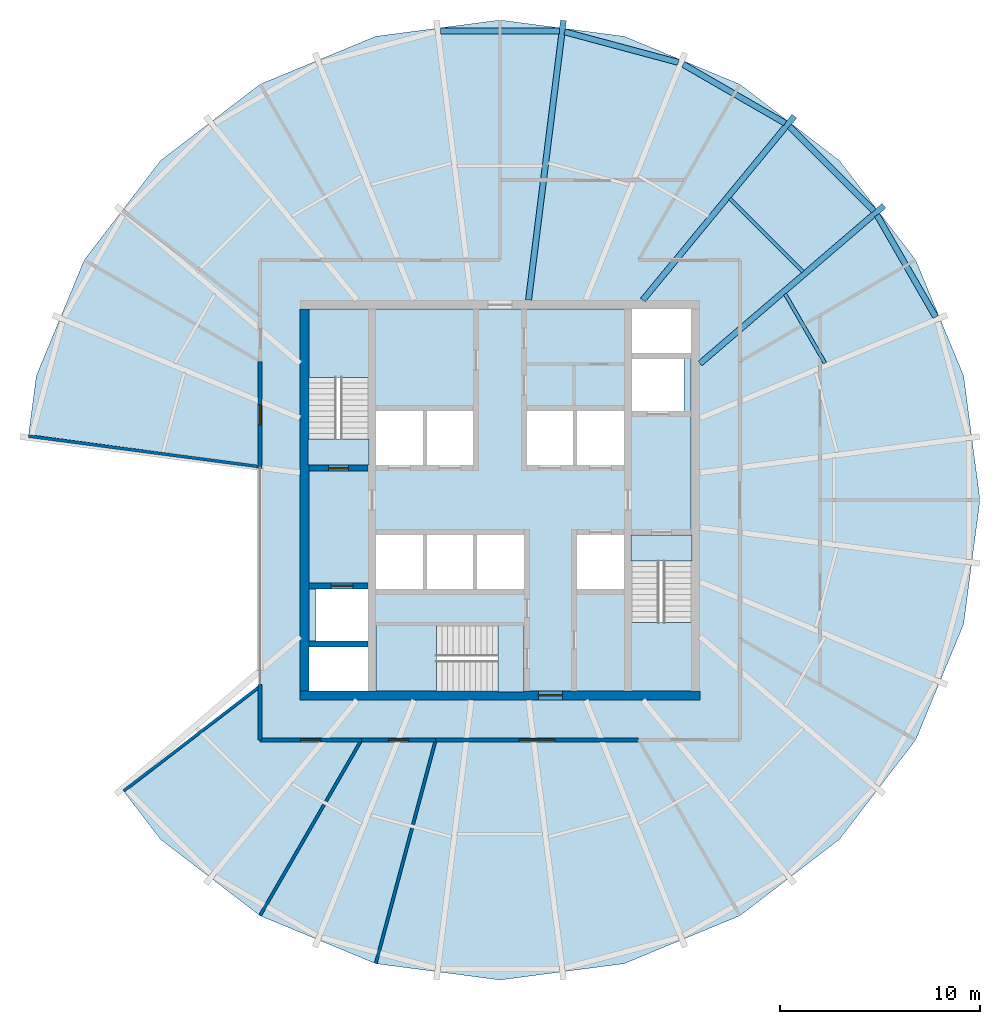
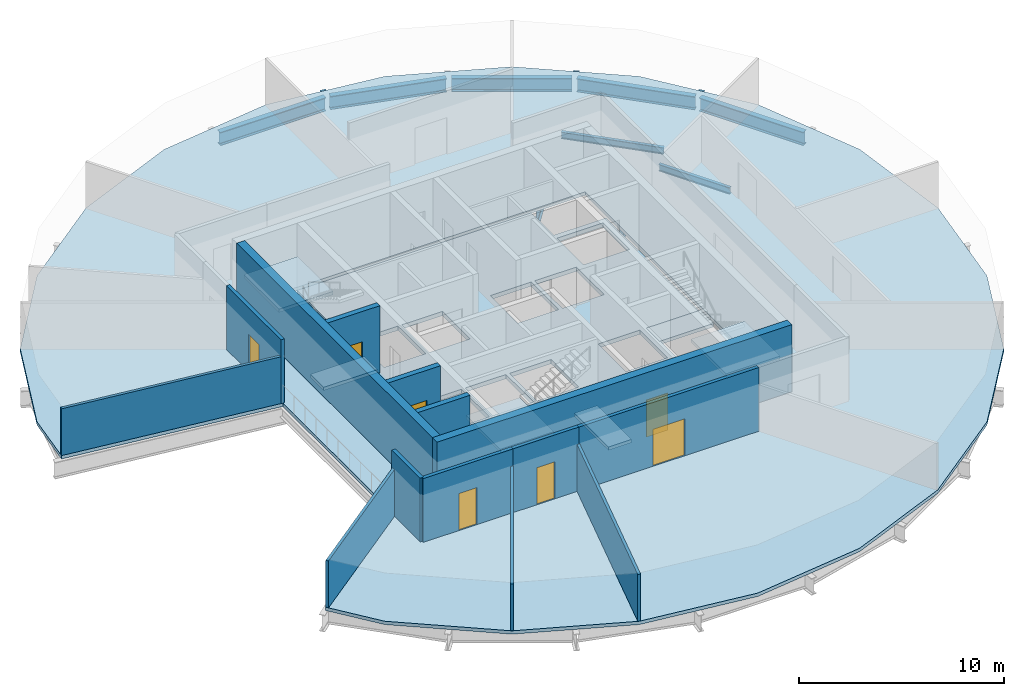
# One storey, part 2 of 5: 14 walls, 10 beams, 8 slabs, 7 doors, 7 openings, 3 elements without a shape of their own.
"""IFC4 building model written with IfcOpenShell, lengths in metres."""

from ifc_helpers import new_model, si_unit, direction, frame, frame_2d, origin, origin_2d, place, context, subcontext, project, spatial, polyline, rectangle, i_section, outline, extrude, material, layer, layer_set, material_profile, profile_set, type_object, element, fill, aggregate, save


model = new_model("IFC4")

# Units and contexts
model_context = context("Model", 3, precision=1e-05, world=origin(), true_north=direction((0.0, 1.0)))
body_context = subcontext(model_context, "Body", "Model", "MODEL_VIEW")
ifc_project = project(units=[si_unit("LENGTHUNIT", "METRE"), si_unit("AREAUNIT", "SQUARE_METRE"), si_unit("VOLUMEUNIT", "CUBIC_METRE"), si_unit("PLANEANGLEUNIT", "RADIAN"), si_unit("MASSUNIT", "GRAM", prefix="KILO")], contexts=[model_context])

# Site, building, storey
site_placement = place(None, origin())
site = spatial("IfcSite", under=ifc_project, at=site_placement, CompositionType="ELEMENT")
building_placement = place(site_placement, origin())
building = spatial("IfcBuilding", under=site, at=building_placement, Name="Golbaran Civic Tower", CompositionType="ELEMENT")
storey_placement = place(building_placement, frame((0.0, 0.0, 175.0)))
storey = spatial("IfcBuildingStorey", under=building, at=storey_placement, Name="L42", CompositionType="ELEMENT", Elevation=175.0)

# Beams
ifc_material_1 = material(Name="Steel S355", Category="steel")
ifc_material_profile_1 = material_profile(ifc_material_1, i_section(OverallWidth=0.300048828125, OverallDepth=0.800048828125, WebThickness=0.017578125, FlangeThickness=0.032958984375, FilletRadius=0.030029296875, at=origin_2d()), Name="HEB 800")
ifc_profile_set_1 = profile_set([ifc_material_profile_1], Name="Steel S355")
beam_type_1 = type_object("IfcBeamType", Name="EDGE BEAM HEB 800", PredefinedType="BEAM", material=ifc_profile_set_1)
beam_1_placement = place(storey_placement, frame((21.787841796875, 9.147705078125, -0.60009765625), z_axis=(-0.498868073136, 0.866677936494, 0.0), x_axis=(-0.866677936494, -0.498868073136, 0.0)))
element("IfcBeam", 1, at=beam_1_placement, inside=storey, type_object=beam_type_1, Name="Edge beam 22.47 L42", PredefinedType="BEAM", context=body_context, shape_type="SweptSolid", body=[
    extrude(i_section(OverallWidth=0.300048828125, OverallDepth=0.800048828125, WebThickness=0.017578125, FlangeThickness=0.032958984375, FilletRadius=0.030029296875, at=origin_2d()), origin(), (0.0, 0.0, 1.0), 5.881103515625),
])
beam_2_placement = place(storey_placement, frame((18.696044921875, 14.451416015625, -0.60009765625), z_axis=(-0.70680058161, 0.707412848226, 0.0), x_axis=(-0.707412848226, -0.70680058161, 0.0)))
element("IfcBeam", 2, at=beam_2_placement, inside=storey, type_object=beam_type_1, Name="Edge beam 37.53 L42", PredefinedType="BEAM", context=body_context, shape_type="SweptSolid", body=[
    extrude(i_section(OverallWidth=0.300048828125, OverallDepth=0.800048828125, WebThickness=0.017578125, FlangeThickness=0.032958984375, FilletRadius=0.030029296875, at=origin_2d()), origin(), (0.0, 0.0, 1.0), 5.981201171875),
])
beam_3_placement = place(storey_placement, frame((14.261962890625, 18.8408203125, -0.60009765625), z_axis=(-0.866307731562, 0.499510674796, 0.0), x_axis=(-0.499510674796, -0.866307731562, 0.0)))
element("IfcBeam", 3, at=beam_3_placement, inside=storey, type_object=beam_type_1, Name="Edge beam 52.47 L42", PredefinedType="BEAM", context=body_context, shape_type="SweptSolid", body=[
    extrude(i_section(OverallWidth=0.300048828125, OverallDepth=0.800048828125, WebThickness=0.017578125, FlangeThickness=0.032958984375, FilletRadius=0.030029296875, at=origin_2d()), origin(), (0.0, 0.0, 1.0), 5.888671875),
])
beam_4_placement = place(storey_placement, frame((8.92041015625, 21.8818359375, -0.60009765625), z_axis=(-0.96581726524, 0.2592238611, 0.0), x_axis=(-0.2592238611, -0.96581726524, 0.0)))
element("IfcBeam", 4, at=beam_4_placement, inside=storey, type_object=beam_type_1, Name="Edge beam 67.53 L42", PredefinedType="BEAM", context=body_context, shape_type="SweptSolid", body=[
    extrude(i_section(OverallWidth=0.300048828125, OverallDepth=0.800048828125, WebThickness=0.017578125, FlangeThickness=0.032958984375, FilletRadius=0.030029296875, at=origin_2d()), origin(), (0.0, 0.0, 1.0), 5.88720703125),
])
beam_5_placement = place(storey_placement, frame((2.976806640625, 23.44189453125, -0.60009765625), z_axis=(-1.0, 0.0, 0.0), x_axis=(0.0, -1.0, 0.0)))
element("IfcBeam", 5, at=beam_5_placement, inside=storey, type_object=beam_type_1, Name="Edge beam 82.47 L42", PredefinedType="BEAM", context=body_context, shape_type="SweptSolid", body=[
    extrude(i_section(OverallWidth=0.300048828125, OverallDepth=0.800048828125, WebThickness=0.017578125, FlangeThickness=0.032958984375, FilletRadius=0.030029296875, at=origin_2d()), origin(), (0.0, 0.0, 1.0), 5.95361328125),
])
ifc_material_profile_2 = material_profile(ifc_material_1, i_section(OverallWidth=0.179931640625, OverallDepth=0.39990234375, WebThickness=0.008544921875, FlangeThickness=0.013427734375, FilletRadius=0.02099609375, at=origin_2d()), Name="IPE 400")
ifc_profile_set_2 = profile_set([ifc_material_profile_2], Name="Steel S355")
beam_type_2 = type_object("IfcBeamType", Name="FLOOR INFILL BEAM IPE 400", PredefinedType="BEAM", material=ifc_profile_set_2)
beam_6_placement = place(storey_placement, frame((16.254150390625, 6.8408203125, -0.39990234375), z_axis=(-0.500036296268, 0.86600444711, 0.0), x_axis=(-0.86600444711, -0.500036296268, 0.0)))
element("IfcBeam", 6, at=beam_6_placement, inside=storey, type_object=beam_type_2, Name="Infill beam 30.00 L42", PredefinedType="BEAM", context=body_context, shape_type="SweptSolid", body=[
    extrude(i_section(OverallWidth=0.179931640625, OverallDepth=0.39990234375, WebThickness=0.008544921875, FlangeThickness=0.013427734375, FilletRadius=0.02099609375, at=origin_2d()), origin(), (0.0, 0.0, 1.0), 3.995361328125),
])
beam_7_placement = place(storey_placement, frame((15.157958984375, 11.416748046875, -0.39990234375), z_axis=(-0.707130358093, 0.707083203494, 0.0), x_axis=(-0.707083203494, -0.707130358093, 0.0)))
element("IfcBeam", 7, at=beam_7_placement, inside=storey, type_object=beam_type_2, Name="Infill beam 45.00 L42", PredefinedType="BEAM", context=body_context, shape_type="SweptSolid", body=[
    extrude(i_section(OverallWidth=0.179931640625, OverallDepth=0.39990234375, WebThickness=0.008544921875, FlangeThickness=0.013427734375, FilletRadius=0.02099609375, at=origin_2d()), origin(), (0.0, 0.0, 1.0), 5.177490234375),
])
ifc_material_profile_3 = material_profile(ifc_material_1, i_section(OverallWidth=0.300048828125, OverallDepth=1.0, WebThickness=0.01904296875, FlangeThickness=0.035888671875, FilletRadius=0.030029296875, at=origin_2d()), Name="HEB 1000")
ifc_profile_set_3 = profile_set([ifc_material_profile_3], Name="Steel S355")
beam_type_3 = type_object("IfcBeamType", Name="RADIAL FLOOR BEAM HEB 1000", PredefinedType="BEAM", material=ifc_profile_set_3)
beam_8_placement = place(storey_placement, frame((10.0, 6.821533203125, -0.7099609375), z_axis=(0.759047578, 0.651035155988, 0.0), x_axis=(-0.651035155988, 0.759047578, 0.0)))
element("IfcBeam", 8, at=beam_8_placement, inside=storey, type_object=beam_type_3, Name="Radial beam 37.53 L42", PredefinedType="BEAM", context=body_context, shape_type="SweptSolid", body=[
    extrude(i_section(OverallWidth=0.300048828125, OverallDepth=1.0, WebThickness=0.01904296875, FlangeThickness=0.035888671875, FilletRadius=0.030029296875, at=origin_2d()), origin(), (0.0, 0.0, 1.0), 12.1220703125),
])
beam_9_placement = place(storey_placement, frame((7.142822265625, 10.0, -0.7099609375), z_axis=(0.636064106478, 0.77163621769, 0.0), x_axis=(-0.77163621769, 0.636064106478, 0.0)))
element("IfcBeam", 9, at=beam_9_placement, inside=storey, type_object=beam_type_3, Name="Radial beam 52.47 L42", PredefinedType="BEAM", context=body_context, shape_type="SweptSolid", body=[
    extrude(i_section(OverallWidth=0.300048828125, OverallDepth=1.0, WebThickness=0.01904296875, FlangeThickness=0.035888671875, FilletRadius=0.030029296875, at=origin_2d()), origin(), (0.0, 0.0, 1.0), 11.916015625),
])
beam_10_placement = place(storey_placement, frame((1.428466796875, 10.0, -0.7099609375), z_axis=(0.123970759742, 0.992285871475, 0.0), x_axis=(-0.992285871475, 0.123970759742, 0.0)))
element("IfcBeam", 10, at=beam_10_placement, inside=storey, type_object=beam_type_3, Name="Radial beam 82.47 L42", PredefinedType="BEAM", context=body_context, shape_type="SweptSolid", body=[
    extrude(i_section(OverallWidth=0.300048828125, OverallDepth=1.0, WebThickness=0.01904296875, FlangeThickness=0.035888671875, FilletRadius=0.030029296875, at=origin_2d()), origin(), (0.0, 0.0, 1.0), 14.090576171875),
])

# Slabs
ifc_material_2 = material(Name="Concrete LC30/33 lightweight on steel deck", Category="concrete")
ifc_layer_1 = layer(ifc_material_2, 0.199951171875, Name="Concrete LC30/33 lightweight on steel deck")
ifc_layer_set_1 = layer_set([ifc_layer_1], Name="Concrete LC30/33 lightweight on steel deck")
slab_type_1 = type_object("IfcSlabType", Name="COMPOSITE FLOOR SLAB 200", PredefinedType="FLOOR", material=ifc_layer_set_1)
slab_1_placement = place(storey_placement, frame((0.0, 0.0, -0.199951171875)))
element("IfcSlab", 11, at=slab_1_placement, inside=storey, type_object=slab_type_1, Name="Floor slab L42", PredefinedType="FLOOR", context=body_context, shape_type="SweptSolid", body=[
    extrude(outline(polyline([(16.97216796875, -16.97216796875), (12.001220703125, -20.78662109375), (6.212158203125, -23.1845703125), (0.0, -24.002197265625), (-6.212158203125, -23.1845703125), (-12.001220703125, -20.78662109375), (-16.97216796875, -16.97216796875), (-18.87109375, -14.497314453125), (-12.0, -9.21875), (-12.0, 1.586669921875), (-23.591552734375, 3.11962890625), (-23.1845703125, 6.212158203125), (-20.78662109375, 12.001220703125), (-16.97216796875, 16.97216796875), (-12.001220703125, 20.78662109375), (-6.212158203125, 23.1845703125), (0.0, 24.002197265625), (6.212158203125, 23.1845703125), (12.001220703125, 20.78662109375), (16.97216796875, 16.97216796875), (20.78662109375, 12.001220703125), (23.1845703125, 6.212158203125), (24.002197265625, 0.0), (23.1845703125, -6.212158203125), (20.78662109375, -12.001220703125), (16.97216796875, -16.97216796875)]), holes=[polyline([(-9.77490234375, -9.77490234375), (9.77490234375, -9.77490234375), (9.77490234375, 9.77490234375), (-9.77490234375, 9.77490234375), (-9.77490234375, -9.77490234375)])]), origin(), (0.0, 0.0, 1.0), 0.199951171875),
])
ifc_material_3 = material(Name="Concrete C35/45", Category="concrete")
ifc_layer_2 = layer(ifc_material_3, 0.25, Name="Concrete C35/45")
ifc_layer_set_2 = layer_set([ifc_layer_2], Name="Concrete C35/45")
slab_type_2 = type_object("IfcSlabType", Name="CORE FLOOR SLAB 250", PredefinedType="FLOOR", material=ifc_layer_set_2)
slab_2_placement = place(storey_placement, frame((0.0, 0.0, -0.25)))
element("IfcSlab", 12, at=slab_2_placement, inside=storey, type_object=slab_type_2, Name="Core floor slab L42", PredefinedType="FLOOR", context=body_context, shape_type="SweptSolid", body=[
    extrude(outline(polyline([(6.60009765625, -1.75), (6.60009765625, -9.550048828125), (1.199951171875, -9.550048828125), (1.199951171875, -6.300048828125), (-6.199951171875, -6.300048828125), (-6.199951171875, -9.550048828125), (-6.60009765625, -9.550048828125), (-6.60009765625, -7.35009765625), (-9.550048828125, -7.35009765625), (-9.550048828125, 1.75), (-6.60009765625, 1.75), (-6.60009765625, 9.550048828125), (6.60009765625, 9.550048828125), (6.60009765625, 7.35009765625), (9.550048828125, 7.35009765625), (9.550048828125, -1.75), (6.60009765625, -1.75)]), holes=[polyline([(9.199951171875, 7.050048828125), (6.60009765625, 7.050048828125), (6.60009765625, 4.449951171875), (9.199951171875, 4.449951171875), (9.199951171875, 7.050048828125)]), polyline([(6.199951171875, -1.75), (3.85009765625, -1.75), (3.85009765625, -4.449951171875), (6.199951171875, -4.449951171875), (6.199951171875, -1.75)]), polyline([(6.199951171875, 4.449951171875), (3.85009765625, 4.449951171875), (3.85009765625, 1.75), (6.199951171875, 1.75), (6.199951171875, 4.449951171875)]), polyline([(3.64990234375, 4.449951171875), (1.35009765625, 4.449951171875), (1.35009765625, 1.75), (3.64990234375, 1.75), (3.64990234375, 4.449951171875)]), polyline([(1.199951171875, -1.75), (-1.14990234375, -1.75), (-1.14990234375, -4.449951171875), (1.199951171875, -4.449951171875), (1.199951171875, -1.75)]), polyline([(-1.35009765625, 4.449951171875), (-3.64990234375, 4.449951171875), (-3.64990234375, 1.75), (-1.35009765625, 1.75), (-1.35009765625, 4.449951171875)]), polyline([(-1.35009765625, -1.75), (-3.64990234375, -1.75), (-3.64990234375, -4.449951171875), (-1.35009765625, -4.449951171875), (-1.35009765625, -1.75)]), polyline([(-3.85009765625, -1.75), (-6.199951171875, -1.75), (-6.199951171875, -4.449951171875), (-3.85009765625, -4.449951171875), (-3.85009765625, -1.75)]), polyline([(-3.85009765625, 4.449951171875), (-6.199951171875, 4.449951171875), (-6.199951171875, 1.75), (-3.85009765625, 1.75), (-3.85009765625, 4.449951171875)]), polyline([(-6.60009765625, -4.449951171875), (-9.199951171875, -4.449951171875), (-9.199951171875, -7.050048828125), (-6.60009765625, -7.050048828125), (-6.60009765625, -4.449951171875)])]), origin(), (0.0, 0.0, 1.0), 0.25),
])

# Stair, slab
stair_type_1 = type_object("IfcStairType", Name="EXIT STAIR 2950 x 7800, 4000 RISE", PredefinedType="HALF_TURN_STAIR", material=ifc_material_3)
stair_1_placement = place(storey_placement, origin())
stair_1 = element("IfcStair", 13, at=stair_1_placement, inside=storey, type_object=stair_type_1, Name="Stair S1 L42", PredefinedType="HALF_TURN_STAIR")
ifc_layer_3 = layer(ifc_material_3, 0.199951171875, Name="Concrete C35/45")
ifc_layer_set_3 = layer_set([ifc_layer_3], Name="Concrete C35/45")
slab_type_3 = type_object("IfcSlabType", Name="STAIR LANDING 200", PredefinedType="LANDING", material=ifc_layer_set_3)
slab_3_placement = place(storey_placement, frame((0.0, 0.0, 1.800048828125)))
slab_3 = element("IfcSlab", 14, at=slab_3_placement, type_object=slab_type_3, Name="ST29578-40 landing 1", PredefinedType="LANDING", context=body_context, shape_type="SweptSolid", body=[
    extrude(outline(polyline([(-9.60009765625, 6.125), (-9.60009765625, 9.550048828125), (-6.550048828125, 9.550048828125), (-6.550048828125, 6.125), (-9.60009765625, 6.125)])), origin(), (0.0, 0.0, 1.0), 0.199951171875),
])
aggregate(stair_1, [slab_3])

# Slab
slab_4_placement = place(storey_placement, frame((0.0, 0.0, -0.199951171875)))
element("IfcSlab", 15, at=slab_4_placement, inside=storey, type_object=slab_type_3, Name="Stair S1 floor landing L42", PredefinedType="LANDING", context=body_context, shape_type="SweptSolid", body=[
    extrude(outline(polyline([(-9.60009765625, 1.75), (-9.60009765625, 3.054931640625), (-6.550048828125, 3.054931640625), (-6.550048828125, 1.75), (-9.60009765625, 1.75)])), origin(), (0.0, 0.0, 1.0), 0.199951171875),
])

# Stair, slab
stair_2_placement = place(storey_placement, origin())
stair_2 = element("IfcStair", 16, at=stair_2_placement, inside=storey, type_object=stair_type_1, Name="Stair S2 L42", PredefinedType="HALF_TURN_STAIR")
slab_5_placement = place(storey_placement, frame((0.0, 0.0, 1.800048828125)))
slab_5 = element("IfcSlab", 17, at=slab_5_placement, type_object=slab_type_3, Name="ST29578-40 landing 1", PredefinedType="LANDING", context=body_context, shape_type="SweptSolid", body=[
    extrude(outline(polyline([(9.60009765625, -6.125), (9.60009765625, -9.550048828125), (6.550048828125, -9.550048828125), (6.550048828125, -6.125), (9.60009765625, -6.125)])), origin(), (0.0, 0.0, 1.0), 0.199951171875),
])
aggregate(stair_2, [slab_5])

# Slab
slab_6_placement = place(storey_placement, frame((0.0, 0.0, -0.199951171875)))
element("IfcSlab", 18, at=slab_6_placement, inside=storey, type_object=slab_type_3, Name="Stair S2 floor landing L42", PredefinedType="LANDING", context=body_context, shape_type="SweptSolid", body=[
    extrude(outline(polyline([(9.60009765625, -1.75), (9.60009765625, -3.054931640625), (6.550048828125, -3.054931640625), (6.550048828125, -1.75), (9.60009765625, -1.75)])), origin(), (0.0, 0.0, 1.0), 0.199951171875),
])

# Stair, slab
stair_type_2 = type_object("IfcStairType", Name="EXIT STAIR 3250 x 7400, 4000 RISE", PredefinedType="HALF_TURN_STAIR", material=ifc_material_3)
stair_3_placement = place(storey_placement, origin())
stair_3 = element("IfcStair", 19, at=stair_3_placement, inside=storey, type_object=stair_type_2, Name="Stair S3 L42", PredefinedType="HALF_TURN_STAIR")
slab_7_placement = place(storey_placement, frame((0.0, 0.0, 1.800048828125)))
slab_7 = element("IfcSlab", 20, at=slab_7_placement, type_object=slab_type_3, Name="ST32574-40 landing 1", PredefinedType="LANDING", context=body_context, shape_type="SweptSolid", body=[
    extrude(outline(polyline([(-3.175048828125, -9.60009765625), (-6.199951171875, -9.60009765625), (-6.199951171875, -6.25), (-3.175048828125, -6.25), (-3.175048828125, -9.60009765625)])), origin(), (0.0, 0.0, 1.0), 0.199951171875),
])
aggregate(stair_3, [slab_7])

# Slab
slab_8_placement = place(storey_placement, frame((0.0, 0.0, -0.199951171875)))
element("IfcSlab", 21, at=slab_8_placement, inside=storey, type_object=slab_type_3, Name="Stair S3 floor landing L42", PredefinedType="LANDING", context=body_context, shape_type="SweptSolid", body=[
    extrude(outline(polyline([(1.199951171875, -9.60009765625), (-0.10498046875, -9.60009765625), (-0.10498046875, -6.25), (1.199951171875, -6.25), (1.199951171875, -9.60009765625)])), origin(), (0.0, 0.0, 1.0), 0.199951171875),
])

# Wall, opening, door
ifc_material_4 = material(Name="Concrete C50/60", Category="concrete")
ifc_layer_4 = layer(ifc_material_4, 0.449951171875, Name="Concrete C50/60")
ifc_layer_set_4 = layer_set([ifc_layer_4], Name="Concrete C50/60")
wall_type_1 = type_object("IfcWallType", Name="CORE WALL CONCRETE 450", PredefinedType="SOLIDWALL", material=ifc_layer_set_4)
wall_1_placement = place(storey_placement, frame((10.0, -9.77490234375, 0.0), z_axis=(0.0, 0.0, 1.0), x_axis=(-1.0, 0.0, 0.0)))
wall_1 = element("IfcWall", 22, at=wall_1_placement, inside=storey, type_object=wall_type_1, Name="Core wall CS L42", PredefinedType="SOLIDWALL", context=body_context, shape_type="SweptSolid", body=[
    extrude(rectangle(XDim=20.0, YDim=0.449951171875, at=frame_2d((10.0, 0.0))), origin(), (0.0, 0.0, 1.0), 4.0),
])
opening_1_placement = place(wall_1_placement, frame((6.875, 0.0, 0.0)))
opening_1 = element("IfcOpeningElement", 23, at=opening_1_placement, cuts=wall_1, Name="Opening L42.CS", PredefinedType="OPENING", context=body_context, shape_type="SweptSolid", body=[
    extrude(rectangle(XDim=1.199951171875, YDim=2.199951171875, at=frame_2d((0.60009765625, 1.10009765625))), frame((0.0, 0.23486328125, 0.0), z_axis=(0.0, -1.0, 0.0), x_axis=(1.0, 0.0, 0.0)), (0.0, 0.0, 1.0), 0.469970703125),
])
ifc_material_5 = material(Name="Timber door set in steel frame", Category="steel")
door_type_1 = type_object("IfcDoorType", Name="CORE DOOR 1200x2200", OperationType="DOUBLE_DOOR_SINGLE_SWING", PredefinedType="DOOR", material=ifc_material_5)
door_1_placement = place(opening_1_placement, origin())
door_1 = element("IfcDoor", 24, at=door_1_placement, inside=storey, type_object=door_type_1, Name="Core door south", OperationType="DOUBLE_DOOR_SINGLE_SWING", OverallHeight=2.199951171875, OverallWidth=1.199951171875, PredefinedType="DOOR", context=body_context, shape_type="SweptSolid", body=[
    extrude(rectangle(XDim=1.199951171875, YDim=2.199951171875, at=frame_2d((0.60009765625, 1.10009765625))), frame((0.0, 0.02490234375, 0.0), z_axis=(0.0, -1.0, 0.0), x_axis=(1.0, 0.0, 0.0)), (0.0, 0.0, 1.0), 0.050048828125),
])
fill(opening_1, door_1)

# Wall
wall_2_placement = place(storey_placement, frame((-9.77490234375, 9.550048828125, 0.0), z_axis=(0.0, 0.0, 1.0), x_axis=(0.0, -1.0, 0.0)))
element("IfcWall", 25, at=wall_2_placement, inside=storey, type_object=wall_type_1, Name="Core wall CW L42", PredefinedType="SOLIDWALL", context=body_context, shape_type="SweptSolid", body=[
    extrude(rectangle(XDim=19.10009765625, YDim=0.449951171875, at=frame_2d((9.550048828125, 0.0))), origin(), (0.0, 0.0, 1.0), 4.0),
])

# Wall, opening, door
ifc_material_6 = material(Name="Gypsum board on steel studs, fire-rated", Category="steel")
ifc_layer_5 = layer(ifc_material_6, 0.199951171875, Name="Gypsum board on steel studs, fire-rated")
ifc_layer_set_5 = layer_set([ifc_layer_5], Name="Gypsum board on steel studs, fire-rated")
wall_type_2 = type_object("IfcWallType", Name="CORRIDOR WALL 200", PredefinedType="PARTITIONING", material=ifc_layer_set_5)
wall_3_placement = place(storey_placement, frame((-12.0, 6.92822265625, 0.0), z_axis=(0.0, 0.0, 1.0), x_axis=(0.0, -1.0, 0.0)))
wall_3 = element("IfcWall", 26, at=wall_3_placement, inside=storey, type_object=wall_type_2, Name="Corridor wall L42", PredefinedType="PARTITIONING", context=body_context, shape_type="SweptSolid", body=[
    extrude(rectangle(XDim=5.341552734375, YDim=0.199951171875, at=frame_2d((2.6708984375, 0.0))), origin(), (0.0, 0.0, 1.0), 3.800048828125),
])
opening_2_placement = place(wall_3_placement, frame((2.170654296875, 0.0, 0.0)))
opening_2 = element("IfcOpeningElement", 27, at=opening_2_placement, cuts=wall_3, Name="Opening L42.09", PredefinedType="OPENING", context=body_context, shape_type="SweptSolid", body=[
    extrude(rectangle(XDim=1.0, YDim=2.199951171875, at=frame_2d((0.5, 1.10009765625))), frame((0.0, 0.10986328125, 0.0), z_axis=(0.0, -1.0, 0.0), x_axis=(1.0, 0.0, 0.0)), (0.0, 0.0, 1.0), 0.219970703125),
])
door_type_2 = type_object("IfcDoorType", Name="OFFICE DOOR 1000x2200", OperationType="SINGLE_SWING_LEFT", PredefinedType="DOOR", material=ifc_material_5)
door_2_placement = place(opening_2_placement, origin())
door_2 = element("IfcDoor", 28, at=door_2_placement, inside=storey, type_object=door_type_2, Name="Project Room door L42", OperationType="SINGLE_SWING_RIGHT", OverallHeight=2.199951171875, OverallWidth=1.0, PredefinedType="DOOR", context=body_context, shape_type="SweptSolid", body=[
    extrude(rectangle(XDim=1.0, YDim=2.199951171875, at=frame_2d((0.5, 1.10009765625))), frame((0.0, 0.02490234375, 0.0), z_axis=(0.0, -1.0, 0.0), x_axis=(1.0, 0.0, 0.0)), (0.0, 0.0, 1.0), 0.050048828125),
])
fill(opening_2, door_2)

# Wall
wall_4_placement = place(storey_placement, frame((-12.0, -9.21875, 0.0), z_axis=(0.0, 0.0, 1.0), x_axis=(0.0, -1.0, 0.0)))
element("IfcWall", 29, at=wall_4_placement, inside=storey, type_object=wall_type_2, Name="Corridor wall L42", PredefinedType="PARTITIONING", context=body_context, shape_type="SweptSolid", body=[
    extrude(rectangle(XDim=2.78125, YDim=0.199951171875, at=frame_2d((1.390625, 0.0))), origin(), (0.0, 0.0, 1.0), 3.800048828125),
])

# Wall, opening, door
wall_5_placement = place(storey_placement, frame((-12.0, -12.0, 0.0), z_axis=(0.0, 0.0, 1.0), x_axis=(1.0, 0.0, 0.0)))
wall_5 = element("IfcWall", 30, at=wall_5_placement, inside=storey, type_object=wall_type_2, Name="Corridor wall L42", PredefinedType="PARTITIONING", context=body_context, shape_type="SweptSolid", body=[
    extrude(rectangle(XDim=5.07177734375, YDim=0.199951171875, at=frame_2d((2.535888671875, 0.0))), origin(), (0.0, 0.0, 1.0), 3.800048828125),
])
opening_3_placement = place(wall_5_placement, frame((2.035888671875, 0.0, 0.0)))
opening_3 = element("IfcOpeningElement", 31, at=opening_3_placement, cuts=wall_5, Name="Opening L42.10", PredefinedType="OPENING", context=body_context, shape_type="SweptSolid", body=[
    extrude(rectangle(XDim=1.0, YDim=2.199951171875, at=frame_2d((0.5, 1.10009765625))), frame((0.0, 0.10986328125, 0.0), z_axis=(0.0, -1.0, 0.0), x_axis=(1.0, 0.0, 0.0)), (0.0, 0.0, 1.0), 0.219970703125),
])
door_3_placement = place(opening_3_placement, origin())
door_3 = element("IfcDoor", 32, at=door_3_placement, inside=storey, type_object=door_type_2, Name="Quiet Room door L42", OperationType="SINGLE_SWING_LEFT", OverallHeight=2.199951171875, OverallWidth=1.0, PredefinedType="DOOR", context=body_context, shape_type="SweptSolid", body=[
    extrude(rectangle(XDim=1.0, YDim=2.199951171875, at=frame_2d((0.5, 1.10009765625))), frame((0.0, 0.02490234375, 0.0), z_axis=(0.0, -1.0, 0.0), x_axis=(1.0, 0.0, 0.0)), (0.0, 0.0, 1.0), 0.050048828125),
])
fill(opening_3, door_3)

wall_6_placement = place(storey_placement, frame((-6.92822265625, -12.0, 0.0), z_axis=(0.0, 0.0, 1.0), x_axis=(1.0, 0.0, 0.0)))
wall_6 = element("IfcWall", 33, at=wall_6_placement, inside=storey, type_object=wall_type_2, Name="Corridor wall L42", PredefinedType="PARTITIONING", context=body_context, shape_type="SweptSolid", body=[
    extrude(rectangle(XDim=3.712890625, YDim=0.199951171875, at=frame_2d((1.8564453125, 0.0))), origin(), (0.0, 0.0, 1.0), 3.800048828125),
])
opening_4_placement = place(wall_6_placement, frame((1.3564453125, 0.0, 0.0)))
opening_4 = element("IfcOpeningElement", 34, at=opening_4_placement, cuts=wall_6, Name="Opening L42.11", PredefinedType="OPENING", context=body_context, shape_type="SweptSolid", body=[
    extrude(rectangle(XDim=1.0, YDim=2.199951171875, at=frame_2d((0.5, 1.10009765625))), frame((0.0, 0.10986328125, 0.0), z_axis=(0.0, -1.0, 0.0), x_axis=(1.0, 0.0, 0.0)), (0.0, 0.0, 1.0), 0.219970703125),
])
door_4_placement = place(opening_4_placement, origin())
door_4 = element("IfcDoor", 35, at=door_4_placement, inside=storey, type_object=door_type_2, Name="Server Room door L42", OperationType="SINGLE_SWING_LEFT", OverallHeight=2.199951171875, OverallWidth=1.0, PredefinedType="DOOR", context=body_context, shape_type="SweptSolid", body=[
    extrude(rectangle(XDim=1.0, YDim=2.199951171875, at=frame_2d((0.5, 1.10009765625))), frame((0.0, 0.02490234375, 0.0), z_axis=(0.0, -1.0, 0.0), x_axis=(1.0, 0.0, 0.0)), (0.0, 0.0, 1.0), 0.050048828125),
])
fill(opening_4, door_4)

wall_7_placement = place(storey_placement, frame((-3.21533203125, -12.0, 0.0), z_axis=(0.0, 0.0, 1.0), x_axis=(1.0, 0.0, 0.0)))
wall_7 = element("IfcWall", 36, at=wall_7_placement, inside=storey, type_object=wall_type_2, Name="Corridor wall L42", PredefinedType="PARTITIONING", context=body_context, shape_type="SweptSolid", body=[
    extrude(rectangle(XDim=10.1435546875, YDim=0.199951171875, at=frame_2d((5.07177734375, 0.0))), origin(), (0.0, 0.0, 1.0), 3.800048828125),
])
opening_5_placement = place(wall_7_placement, frame((4.171875, 0.0, 0.0)))
opening_5 = element("IfcOpeningElement", 37, at=opening_5_placement, cuts=wall_7, Name="Opening L42.12", PredefinedType="OPENING", context=body_context, shape_type="SweptSolid", body=[
    extrude(rectangle(XDim=1.800048828125, YDim=2.199951171875, at=frame_2d((0.89990234375, 1.10009765625))), frame((0.0, 0.10986328125, 0.0), z_axis=(0.0, -1.0, 0.0), x_axis=(1.0, 0.0, 0.0)), (0.0, 0.0, 1.0), 0.219970703125),
])
door_type_3 = type_object("IfcDoorType", Name="OFFICE DOUBLE DOOR 1800x2200", OperationType="DOUBLE_DOOR_SINGLE_SWING", PredefinedType="DOOR", material=ifc_material_5)
door_5_placement = place(opening_5_placement, origin())
door_5 = element("IfcDoor", 38, at=door_5_placement, inside=storey, type_object=door_type_3, Name="Server Room door L42", OperationType="DOUBLE_DOOR_SINGLE_SWING", OverallHeight=2.199951171875, OverallWidth=1.800048828125, PredefinedType="DOOR", context=body_context, shape_type="SweptSolid", body=[
    extrude(rectangle(XDim=1.800048828125, YDim=2.199951171875, at=frame_2d((0.89990234375, 1.10009765625))), frame((0.0, 0.02490234375, 0.0), z_axis=(0.0, -1.0, 0.0), x_axis=(1.0, 0.0, 0.0)), (0.0, 0.0, 1.0), 0.050048828125),
])
fill(opening_5, door_5)

# Walls
ifc_material_7 = material(Name="Gypsum board on steel studs", Category="steel")
ifc_layer_6 = layer(ifc_material_7, 0.14990234375, Name="Gypsum board on steel studs")
ifc_layer_set_6 = layer_set([ifc_layer_6], Name="Gypsum board on steel studs")
wall_type_3 = type_object("IfcWallType", Name="OFFICE PARTITION 150", PredefinedType="PARTITIONING", material=ifc_layer_set_6)
wall_8_placement = place(storey_placement, frame((-11.990234375, 1.6611328125, 0.0), z_axis=(0.0, 0.0, 1.0), x_axis=(-0.991369870096, 0.131094548571, 0.0)))
element("IfcWall", 39, at=wall_8_placement, inside=storey, type_object=wall_type_3, Name="Partition 172.467 L42", PredefinedType="PARTITIONING", context=body_context, shape_type="SweptSolid", body=[
    extrude(rectangle(XDim=11.682373046875, YDim=0.14990234375, at=frame_2d((5.84130859375, 0.0))), origin(), (0.0, 0.0, 1.0), 2.7900390625),
])
wall_9_placement = place(storey_placement, frame((-11.954345703125, -9.2783203125, 0.0), z_axis=(0.0, 0.0, 1.0), x_axis=(-0.793013930265, -0.609203501636, 0.0)))
element("IfcWall", 40, at=wall_9_placement, inside=storey, type_object=wall_type_3, Name="Partition 217.533 L42", PredefinedType="PARTITIONING", context=body_context, shape_type="SweptSolid", body=[
    extrude(rectangle(XDim=8.65478515625, YDim=0.14990234375, at=frame_2d((4.327392578125, 0.0))), origin(), (0.0, 0.0, 1.0), 2.7900390625),
])
wall_10_placement = place(storey_placement, frame((-6.92822265625, -12.0, 0.0), z_axis=(0.0, 0.0, 1.0), x_axis=(-0.49999906822, -0.866025941747, 0.0)))
element("IfcWall", 41, at=wall_10_placement, inside=storey, type_object=wall_type_3, Name="Partition 240 L42", PredefinedType="PARTITIONING", context=body_context, shape_type="SweptSolid", body=[
    extrude(rectangle(XDim=10.1357421875, YDim=0.14990234375, at=frame_2d((5.06787109375, 0.0))), origin(), (0.0, 0.0, 1.0), 2.7900390625),
])
wall_11_placement = place(storey_placement, frame((-3.21533203125, -12.0, 0.0), z_axis=(0.0, 0.0, 1.0), x_axis=(-0.258827502911, -0.965923559986, 0.0)))
element("IfcWall", 42, at=wall_11_placement, inside=storey, type_object=wall_type_3, Name="Partition 255 L42", PredefinedType="PARTITIONING", context=body_context, shape_type="SweptSolid", body=[
    extrude(rectangle(XDim=11.569091796875, YDim=0.14990234375, at=frame_2d((5.78466796875, 0.0))), origin(), (0.0, 0.0, 1.0), 2.7900390625),
])

# Wall, opening, door
ifc_layer_7 = layer(ifc_material_4, 0.300048828125, Name="Concrete C50/60")
ifc_layer_set_7 = layer_set([ifc_layer_7], Name="Concrete C50/60")
wall_type_4 = type_object("IfcWallType", Name="SHAFT WALL CONCRETE 300", PredefinedType="SOLIDWALL", material=ifc_layer_set_7)
wall_12_placement = place(storey_placement, frame((-9.550048828125, 1.60009765625, 0.0), z_axis=(0.0, 0.0, 1.0), x_axis=(1.0, 0.0, 0.0)))
wall_12 = element("IfcWall", 43, at=wall_12_placement, inside=storey, type_object=wall_type_4, Name="Core wall XW1 L42", PredefinedType="SOLIDWALL", context=body_context, shape_type="SweptSolid", body=[
    extrude(rectangle(XDim=2.949951171875, YDim=0.300048828125, at=frame_2d((1.47509765625, 0.0))), origin(), (0.0, 0.0, 1.0), 4.0),
])
opening_6_placement = place(wall_12_placement, frame((0.97509765625, 0.0, 0.0)))
opening_6 = element("IfcOpeningElement", 44, at=opening_6_placement, cuts=wall_12, Name="Opening L42.S1", PredefinedType="OPENING", context=body_context, shape_type="SweptSolid", body=[
    extrude(rectangle(XDim=1.0, YDim=2.199951171875, at=frame_2d((0.5, 1.10009765625))), frame((0.0, 0.159912109375, 0.0), z_axis=(0.0, -1.0, 0.0), x_axis=(1.0, 0.0, 0.0)), (0.0, 0.0, 1.0), 0.320068359375),
])
door_type_4 = type_object("IfcDoorType", Name="STAIR DOOR 1000x2200", OperationType="SINGLE_SWING_LEFT", PredefinedType="DOOR", material=ifc_material_5)
door_6_placement = place(opening_6_placement, origin())
door_6 = element("IfcDoor", 45, at=door_6_placement, inside=storey, type_object=door_type_4, Name="Stair S1 door", OperationType="SINGLE_SWING_LEFT", OverallHeight=2.199951171875, OverallWidth=1.0, PredefinedType="DOOR", context=body_context, shape_type="SweptSolid", body=[
    extrude(rectangle(XDim=1.0, YDim=2.199951171875, at=frame_2d((0.5, 1.10009765625))), frame((0.0, 0.02490234375, 0.0), z_axis=(0.0, -1.0, 0.0), x_axis=(1.0, 0.0, 0.0)), (0.0, 0.0, 1.0), 0.050048828125),
])
fill(opening_6, door_6)

wall_13_placement = place(storey_placement, frame((-9.550048828125, -4.300048828125, 0.0), z_axis=(0.0, 0.0, 1.0), x_axis=(1.0, 0.0, 0.0)))
wall_13 = element("IfcWall", 46, at=wall_13_placement, inside=storey, type_object=wall_type_4, Name="Core wall XW2 L42", PredefinedType="SOLIDWALL", context=body_context, shape_type="SweptSolid", body=[
    extrude(rectangle(XDim=2.949951171875, YDim=0.300048828125, at=frame_2d((1.47509765625, 0.0))), origin(), (0.0, 0.0, 1.0), 4.0),
])
opening_7_placement = place(wall_13_placement, frame((1.10009765625, 0.0, 0.0)))
opening_7 = element("IfcOpeningElement", 47, at=opening_7_placement, cuts=wall_13, Name="Opening L42.LD-F1", PredefinedType="OPENING", context=body_context, shape_type="SweptSolid", body=[
    extrude(rectangle(XDim=1.10009765625, YDim=2.199951171875, at=frame_2d((0.550048828125, 1.10009765625))), frame((0.0, 0.159912109375, 0.0), z_axis=(0.0, -1.0, 0.0), x_axis=(1.0, 0.0, 0.0)), (0.0, 0.0, 1.0), 0.320068359375),
])
ifc_material_8 = material(Name="Stainless steel", Category="steel")
door_type_5 = type_object("IfcDoorType", Name="LIFT LANDING DOOR 1100x2200", OperationType="SLIDING_TO_LEFT", PredefinedType="DOOR", material=ifc_material_8)
door_7_placement = place(opening_7_placement, origin())
door_7 = element("IfcDoor", 48, at=door_7_placement, inside=storey, type_object=door_type_5, Name="Lift landing door F1", OperationType="SLIDING_TO_LEFT", OverallHeight=2.199951171875, OverallWidth=1.10009765625, PredefinedType="DOOR", context=body_context, shape_type="SweptSolid", body=[
    extrude(rectangle(XDim=1.10009765625, YDim=2.199951171875, at=frame_2d((0.550048828125, 1.10009765625))), frame((0.0, 0.02490234375, 0.0), z_axis=(0.0, -1.0, 0.0), x_axis=(1.0, 0.0, 0.0)), (0.0, 0.0, 1.0), 0.050048828125),
])
fill(opening_7, door_7)

# Wall
wall_14_placement = place(storey_placement, frame((-9.550048828125, -7.199951171875, 0.0), z_axis=(0.0, 0.0, 1.0), x_axis=(1.0, 0.0, 0.0)))
element("IfcWall", 49, at=wall_14_placement, inside=storey, type_object=wall_type_4, Name="Core wall XW3 L42", PredefinedType="SOLIDWALL", context=body_context, shape_type="SweptSolid", body=[
    extrude(rectangle(XDim=2.949951171875, YDim=0.300048828125, at=frame_2d((1.47509765625, 0.0))), origin(), (0.0, 0.0, 1.0), 4.0),
])

save(model, "model.ifc")
